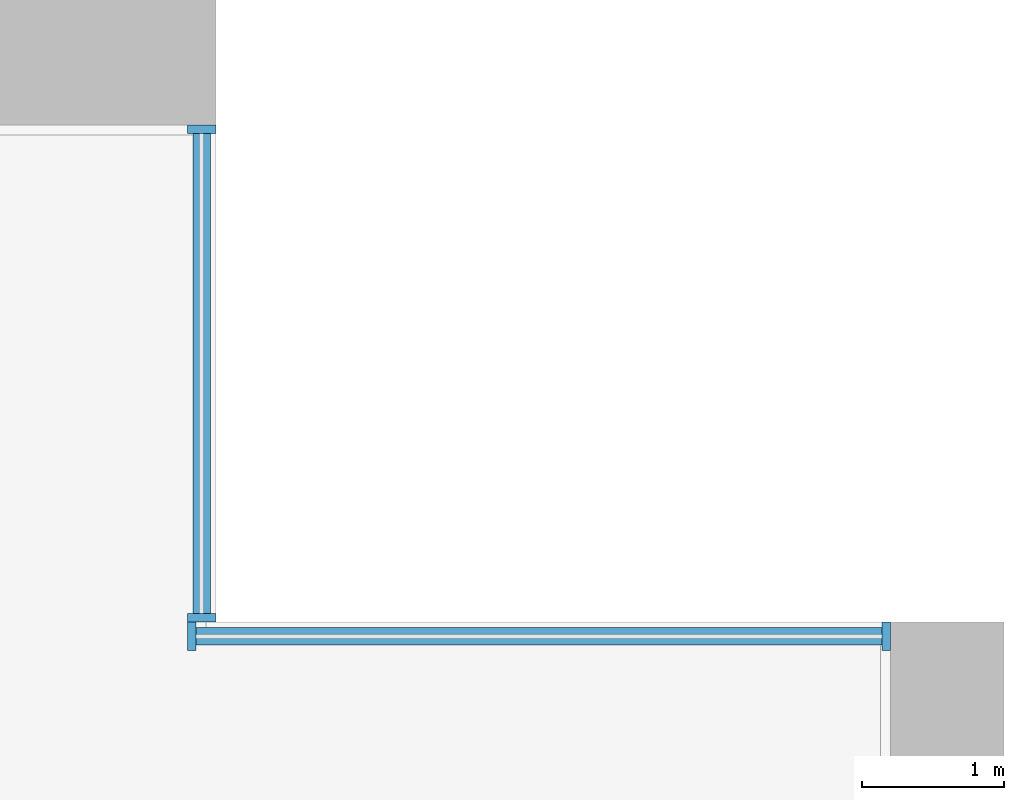
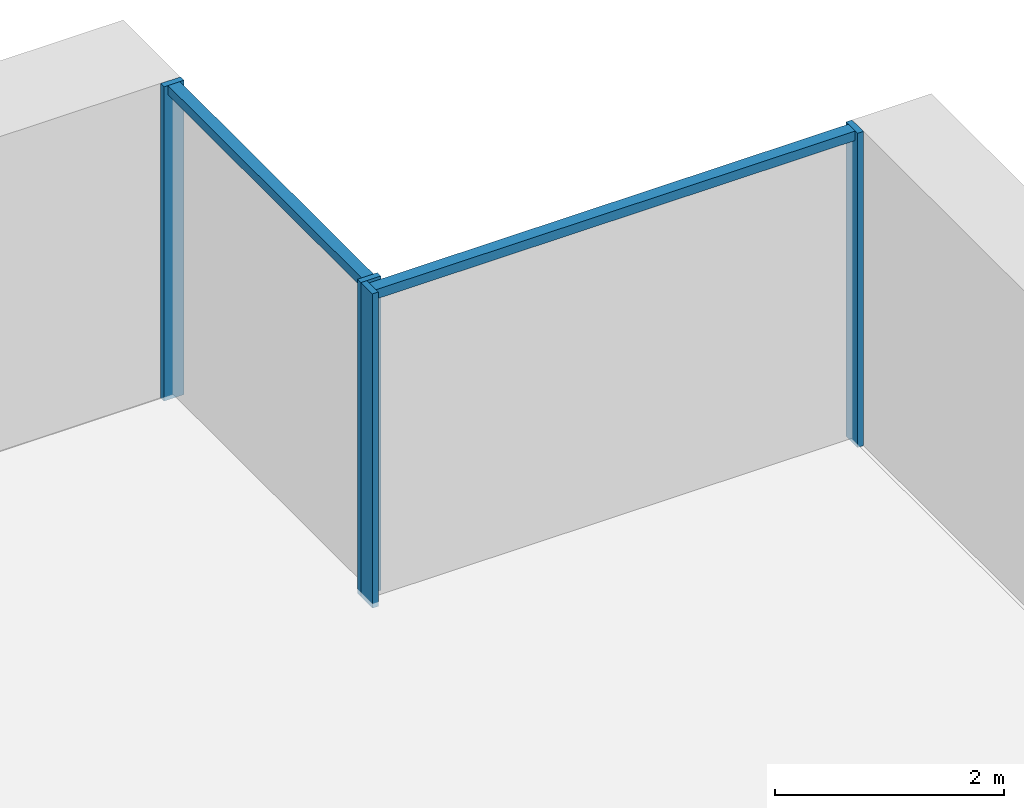
# One storey, part 6 of 18: 6 members, 2 elements without a shape of their own.
"""IFC4 building model written with IfcOpenShell, lengths in metres."""

from ifc_helpers import new_model, si_unit, direction, frame, origin, origin_2d, place, context, subcontext, project, spatial, rectangle, extrude, material, material_profile, profile_set, type_object, element, aggregate, save


model = new_model("IFC4")

# Units and contexts
model_context = context("Model", 3, precision=1e-05, world=origin(), true_north=direction((0.0, 1.0)))
body_context = subcontext(model_context, "Body", "Model", "MODEL_VIEW")
ifc_project = project(units=[si_unit("LENGTHUNIT", "METRE"), si_unit("AREAUNIT", "SQUARE_METRE"), si_unit("VOLUMEUNIT", "CUBIC_METRE"), si_unit("PLANEANGLEUNIT", "RADIAN"), si_unit("MASSUNIT", "GRAM", prefix="KILO")], contexts=[model_context])

# Site, building, storey
site_placement = place(None, origin())
site = spatial("IfcSite", under=ifc_project, at=site_placement, CompositionType="ELEMENT")
building_placement = place(site_placement, origin())
building = spatial("IfcBuilding", under=site, at=building_placement, Name="Calvaro Tower", CompositionType="ELEMENT")
storey_placement = place(building_placement, frame((0.0, 0.0, 30.0)))
storey = spatial("IfcBuildingStorey", under=building, at=storey_placement, Name="L06", CompositionType="ELEMENT", Elevation=30.0)

# Curtain wall, members
ifc_material_1 = material(Name="Anodised aluminium", Category="aluminium")
curtain_wall_type = type_object("IfcCurtainWallType", Name="Office curtain wall, lower zone", PredefinedType="NOTDEFINED", material=ifc_material_1)
curtain_wall_1_placement = place(storey_placement, origin())
curtain_wall_1 = element("IfcCurtainWall", 1, at=curtain_wall_1_placement, inside=storey, type_object=curtain_wall_type, Name="CW1 corner curtain wall", PredefinedType="NOTDEFINED")
ifc_material_2 = material(Name="Anodised aluminium", Category="aluminium")
ifc_material_profile_1 = material_profile(ifc_material_2, rectangle(XDim=0.199951171875, YDim=0.06005859375, at=origin_2d()), Name="Mullion S1 60 x 200")
ifc_profile_set_1 = profile_set([ifc_material_profile_1], Name="Anodised aluminium")
member_type_1 = type_object("IfcMemberType", Name="Mullion S1 60 x 200", PredefinedType="MULLION", material=ifc_profile_set_1)
member_1_placement = place(storey_placement, frame((72.35009765625, 41.530029296875, 0.0), z_axis=(0.0, 0.0, 1.0), x_axis=(-1.0, 0.0, 0.0)))
member_1 = element("IfcMember", 2, at=member_1_placement, type_object=member_type_1, Name="CW1 mullion 1", PredefinedType="MULLION", context=body_context, shape_type="SweptSolid", body=[
    extrude(rectangle(XDim=0.199951171875, YDim=0.06005859375, at=origin_2d()), origin(), (0.0, 0.0, 1.0), 3.35009765625),
])
member_2_placement = place(storey_placement, frame((72.35009765625, 44.969970703125, 0.0), z_axis=(0.0, 0.0, 1.0), x_axis=(-1.0, 0.0, 0.0)))
member_2 = element("IfcMember", 3, at=member_2_placement, type_object=member_type_1, Name="CW1 mullion 2", PredefinedType="MULLION", context=body_context, shape_type="SweptSolid", body=[
    extrude(rectangle(XDim=0.199951171875, YDim=0.06005859375, at=origin_2d()), origin(), (0.0, 0.0, 1.0), 3.35009765625),
])

curtain_wall_2_placement = place(storey_placement, origin())
curtain_wall_2 = element("IfcCurtainWall", 4, at=curtain_wall_2_placement, inside=storey, type_object=curtain_wall_type, Name="CW1 corner curtain wall", PredefinedType="NOTDEFINED")
member_3_placement = place(storey_placement, frame((72.280029296875, 41.39990234375, 0.0), z_axis=(0.0, 0.0, 1.0), x_axis=(0.0, 1.0, 0.0)))
member_3 = element("IfcMember", 5, at=member_3_placement, type_object=member_type_1, Name="CW1 mullion 1", PredefinedType="MULLION", context=body_context, shape_type="SweptSolid", body=[
    extrude(rectangle(XDim=0.199951171875, YDim=0.06005859375, at=origin_2d()), origin(), (0.0, 0.0, 1.0), 3.35009765625),
])
member_4_placement = place(storey_placement, frame((77.169921875, 41.39990234375, 0.0), z_axis=(0.0, 0.0, 1.0), x_axis=(0.0, 1.0, 0.0)))
member_4 = element("IfcMember", 6, at=member_4_placement, type_object=member_type_1, Name="CW1 mullion 2", PredefinedType="MULLION", context=body_context, shape_type="SweptSolid", body=[
    extrude(rectangle(XDim=0.199951171875, YDim=0.06005859375, at=origin_2d()), origin(), (0.0, 0.0, 1.0), 3.35009765625),
])

# Member
ifc_material_3 = material(Name="Anodised aluminium", Category="aluminium")
ifc_material_profile_2 = material_profile(ifc_material_3, rectangle(XDim=0.1201171875, YDim=0.10009765625, at=origin_2d()), Name="Transom S1 100 x 120")
ifc_profile_set_2 = profile_set([ifc_material_profile_2], Name="Anodised aluminium")
member_type_2 = type_object("IfcMemberType", Name="Transom S1 100 x 120", PredefinedType="USERDEFINED", material=ifc_profile_set_2)
member_5_placement = place(storey_placement, frame((72.35009765625, 41.56005859375, 3.300048828125), z_axis=(0.0, 1.0, 0.0), x_axis=(-1.0, 0.0, 0.0)))
member_5 = element("IfcMember", 7, at=member_5_placement, type_object=member_type_2, Name="CW1 transom 1.1", ObjectType="TRANSOM", PredefinedType="USERDEFINED", context=body_context, shape_type="SweptSolid", body=[
    extrude(rectangle(XDim=0.1201171875, YDim=0.10009765625, at=origin_2d()), origin(), (0.0, 0.0, 1.0), 3.3798828125),
])

aggregate(curtain_wall_1, [member_1, member_2, member_5])

member_6_placement = place(storey_placement, frame((72.31005859375, 41.39990234375, 3.300048828125), z_axis=(1.0, 0.0, 0.0), x_axis=(0.0, 1.0, 0.0)))
member_6 = element("IfcMember", 8, at=member_6_placement, type_object=member_type_2, Name="CW1 transom 1.1", ObjectType="TRANSOM", PredefinedType="USERDEFINED", context=body_context, shape_type="SweptSolid", body=[
    extrude(rectangle(XDim=0.1201171875, YDim=0.10009765625, at=origin_2d()), origin(), (0.0, 0.0, 1.0), 4.829833984375),
])

aggregate(curtain_wall_2, [member_3, member_4, member_6])

save(model, "model.ifc")
